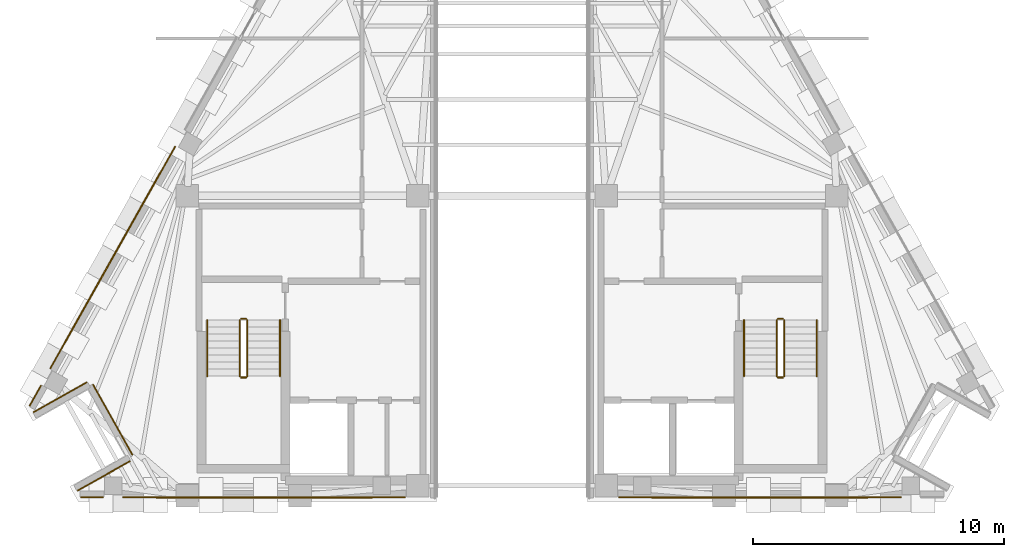
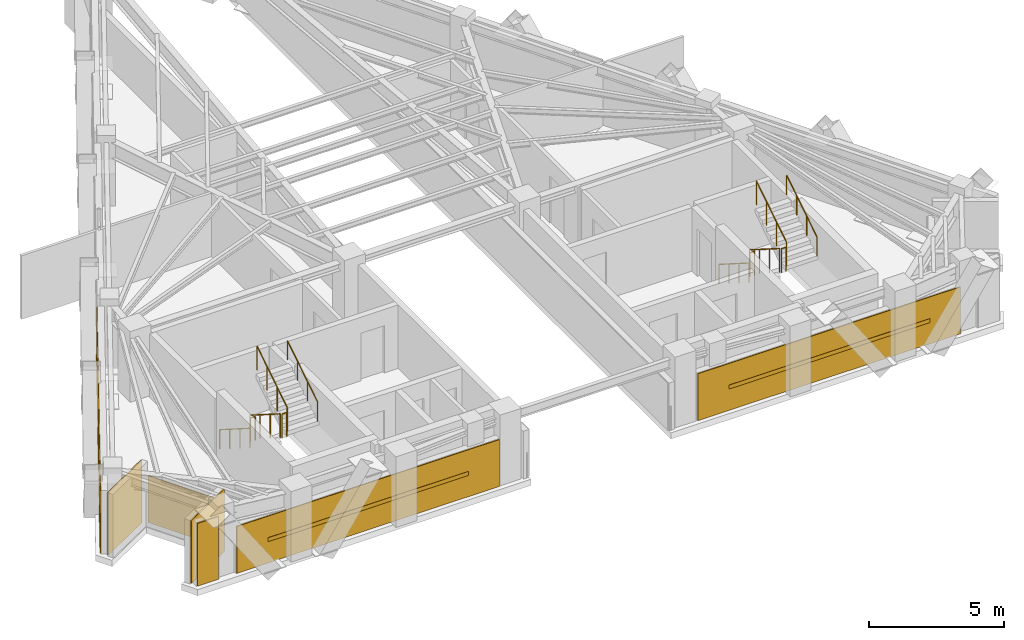
# One storey, part 5 of 6: 12 railings, 8 coverings, 3 shading devices.
"""IFC4 building model written with IfcOpenShell, lengths in metres."""

from ifc_helpers import new_model, si_unit, direction, frame, origin, origin_2d, place, context, subcontext, project, spatial, polyline, rectangle, circle, outline, extrude, material, layer, layer_set, material_profile, profile_set, type_object, element, save


model = new_model("IFC4")

# Units and contexts
model_context = context("Model", 3, precision=1e-05, world=origin(), true_north=direction((0.0, 1.0)))
body_context = subcontext(model_context, "Body", "Model", "MODEL_VIEW")
ifc_project = project(units=[si_unit("LENGTHUNIT", "METRE"), si_unit("AREAUNIT", "SQUARE_METRE"), si_unit("VOLUMEUNIT", "CUBIC_METRE"), si_unit("PLANEANGLEUNIT", "RADIAN"), si_unit("MASSUNIT", "GRAM", prefix="KILO")], contexts=[model_context])

# Site, building, storey
site_placement = place(None, origin())
site = spatial("IfcSite", under=ifc_project, at=site_placement, CompositionType="ELEMENT")
building_placement = place(site_placement, origin())
building = spatial("IfcBuilding", under=site, at=building_placement, Name="Quenlor Broadcast Tower", CompositionType="ELEMENT")
storey_placement = place(building_placement, frame((0.0, 0.0, 277.300048828125)))
storey = spatial("IfcBuildingStorey", under=building, at=storey_placement, Name="L77", CompositionType="ELEMENT", Elevation=277.300048828125)

# Coverings
ifc_material_1 = material(Name="Architectural Terracotta Ceramic", Category="masonry")
ifc_layer = layer(ifc_material_1, 0.044921875)
ifc_layer_set = layer_set([ifc_layer], Name="Fluted Terracotta Rainscreen Cladding Panel")
covering_type = type_object("IfcCoveringType", Name="Fluted Terracotta Rainscreen Cladding Panel", PredefinedType="CLADDING", material=ifc_layer_set)
covering_1_placement = place(storey_placement, frame((0.0, 0.0, 0.02001953125)))
element("IfcCovering", 1, at=covering_1_placement, inside=storey, type_object=covering_type, Name="L77 Terracotta Rainscreen Cladding L77-SHD-SS1", PredefinedType="CLADDING", context=body_context, shape_type="SweptSolid", body=[
    extrude(outline(polyline([(-16.28271484375, -16.787109375), (-17.18994140625, -16.787109375), (-17.18994140625, -16.83203125), (-16.28271484375, -16.83203125), (-16.28271484375, -16.787109375)])), origin(), (0.0, 0.0, 1.0), 2.83984375),
])
covering_2_placement = place(storey_placement, frame((0.0, 0.0, 0.02001953125)))
element("IfcCovering", 2, at=covering_2_placement, inside=storey, type_object=covering_type, Name="L77 Terracotta Rainscreen Cladding L77-EW-SA", PredefinedType="CLADDING", context=body_context, shape_type="SweptSolid", body=[
    extrude(outline(polyline([(15.5126953125, -16.797119140625), (4.25, -16.797119140625), (4.25, -16.842041015625), (15.5126953125, -16.842041015625), (15.5126953125, -16.797119140625)])), origin(), (0.0, 0.0, 1.0), 2.1240234375),
])
covering_3_placement = place(storey_placement, frame((0.0, 0.0, 0.02001953125)))
element("IfcCovering", 3, at=covering_3_placement, inside=storey, type_object=covering_type, Name="L77 Terracotta Rainscreen Cladding L77-EW-SC", PredefinedType="CLADDING", context=body_context, shape_type="SweptSolid", body=[
    extrude(outline(polyline([(-4.25, -16.797119140625), (-15.5126953125, -16.797119140625), (-15.5126953125, -16.842041015625), (-4.25, -16.842041015625), (-4.25, -16.797119140625)])), origin(), (0.0, 0.0, 1.0), 2.1240234375),
])
covering_4_placement = place(storey_placement, frame((0.0, 0.0, 0.02001953125)))
element("IfcCovering", 4, at=covering_4_placement, inside=storey, type_object=covering_type, Name="L77 Terracotta Rainscreen Cladding L77-SHD-NWS0", PredefinedType="CLADDING", context=body_context, shape_type="SweptSolid", body=[
    extrude(outline(polyline([(-19.210205078125, -13.185791015625), (-18.751708984375, -12.37109375), (-18.791015625, -12.34912109375), (-19.24951171875, -13.163818359375), (-19.210205078125, -13.185791015625)])), origin(), (0.0, 0.0, 1.0), 2.83984375),
])
covering_5_placement = place(storey_placement, frame((0.0, 0.0, 0.02001953125)))
element("IfcCovering", 5, at=covering_5_placement, inside=storey, type_object=covering_type, Name="L77 Terracotta Rainscreen Cladding L77-EW-NWA", PredefinedType="CLADDING", context=body_context, shape_type="SweptSolid", body=[
    extrude(outline(polyline([(-18.383056640625, -11.695068359375), (-13.40380859375, -2.843017578125), (-13.443115234375, -2.821044921875), (-18.42236328125, -11.673095703125), (-18.383056640625, -11.695068359375)])), origin(), (0.0, 0.0, 1.0), 2.83984375),
])
covering_6_placement = place(storey_placement, frame((0.0, 0.0, 0.02001953125)))
element("IfcCovering", 6, at=covering_6_placement, inside=storey, type_object=covering_type, Name="L77 Terracotta Rainscreen Cladding L77-CNR-13", PredefinedType="CLADDING", context=body_context, shape_type="SweptSolid", body=[
    extrude(outline(polyline([(-19.062255859375, -13.444091796875), (-16.935546875, -12.247802734375), (-16.95751953125, -12.208740234375), (-19.084228515625, -13.405029296875), (-19.062255859375, -13.444091796875)])), origin(), (0.0, 0.0, 1.0), 2.83984375),
])
covering_7_placement = place(storey_placement, frame((0.0, 0.0, 0.02001953125)))
element("IfcCovering", 7, at=covering_7_placement, inside=storey, type_object=covering_type, Name="L77 Terracotta Rainscreen Cladding L77-CNR-14", PredefinedType="CLADDING", context=body_context, shape_type="SweptSolid", body=[
    extrude(outline(polyline([(-16.72265625, -12.3369140625), (-15.14599609375, -15.139892578125), (-15.106689453125, -15.117919921875), (-16.683349609375, -12.31494140625), (-16.72265625, -12.3369140625)])), origin(), (0.0, 0.0, 1.0), 2.1240234375),
])
covering_8_placement = place(storey_placement, frame((0.0, 0.0, 0.02001953125)))
element("IfcCovering", 8, at=covering_8_placement, inside=storey, type_object=covering_type, Name="L77 Terracotta Rainscreen Cladding L77-CNR-15", PredefinedType="CLADDING", context=body_context, shape_type="SweptSolid", body=[
    extrude(outline(polyline([(-15.23486328125, -15.352783203125), (-17.32666015625, -16.529541015625), (-17.3046875, -16.568603515625), (-15.212890625, -15.39208984375), (-15.23486328125, -15.352783203125)])), origin(), (0.0, 0.0, 1.0), 2.83984375),
])

# Railings
ifc_material_2 = material(Name="Anodised Aluminium", Category="aluminium")
railing_type_1 = type_object("IfcRailingType", Name="Stainless Aluminium Wall Handrail 900", PredefinedType="HANDRAIL", material=ifc_material_2)
railing_1_placement = place(storey_placement, frame((-12.14990234375, -9.75, 0.177734375)))
element("IfcRailing", 9, at=railing_1_placement, inside=storey, type_object=railing_type_1, Name="L77 ST-1 stair handrail 1", PredefinedType="HANDRAIL", context=body_context, shape_type="SweptSolid", body=[
    extrude(circle(Radius=0.02392578125, at=origin_2d()), frame((0.0, 0.0, 0.8759765625), z_axis=(0.0, -0.8442293374, 0.53598211339), x_axis=(1.0, 0.0, 0.0)), (0.0, 0.0, 1.0), 2.6533203125),
    extrude(circle(Radius=0.02099609375, at=origin_2d()), origin(), (0.0, 0.0, 1.0), 0.851806640625),
    extrude(circle(Radius=0.02099609375, at=origin_2d()), frame((0.0, -0.74658203125, 0.47412109375)), (0.0, 0.0, 1.0), 0.851806640625),
    extrude(circle(Radius=0.02099609375, at=origin_2d()), frame((0.0, -1.493408203125, 0.947998046875)), (0.0, 0.0, 1.0), 0.851806640625),
    extrude(circle(Radius=0.02099609375, at=origin_2d()), frame((0.0, -2.239990234375, 1.422119140625)), (0.0, 0.0, 1.0), 0.851806640625),
])
railing_2_placement = place(storey_placement, frame((-9.25, -11.989990234375, 1.77783203125)))
element("IfcRailing", 10, at=railing_2_placement, inside=storey, type_object=railing_type_1, Name="L77 ST-1 stair handrail 2", PredefinedType="HANDRAIL", context=body_context, shape_type="SweptSolid", body=[
    extrude(circle(Radius=0.02392578125, at=origin_2d()), frame((0.0, 0.0, 0.8759765625), z_axis=(0.0, 0.8442293374, 0.53598211339), x_axis=(-1.0, 0.0, 0.0)), (0.0, 0.0, 1.0), 2.6533203125),
    extrude(circle(Radius=0.02099609375, at=origin_2d()), origin(), (0.0, 0.0, 1.0), 0.851806640625),
    extrude(circle(Radius=0.02099609375, at=origin_2d()), frame((0.0, 0.74658203125, 0.47412109375)), (0.0, 0.0, 1.0), 0.851806640625),
    extrude(circle(Radius=0.02099609375, at=origin_2d()), frame((0.0, 1.493408203125, 0.947998046875)), (0.0, 0.0, 1.0), 0.851806640625),
    extrude(circle(Radius=0.02099609375, at=origin_2d()), frame((0.0, 2.239990234375, 1.422119140625)), (0.0, 0.0, 1.0), 0.851806640625),
])
railing_3_placement = place(storey_placement, frame((9.25, -9.75, 0.177734375)))
element("IfcRailing", 11, at=railing_3_placement, inside=storey, type_object=railing_type_1, Name="L77 ST-2 stair handrail 1", PredefinedType="HANDRAIL", context=body_context, shape_type="SweptSolid", body=[
    extrude(circle(Radius=0.02392578125, at=origin_2d()), frame((0.0, 0.0, 0.8759765625), z_axis=(0.0, -0.8442293374, 0.53598211339), x_axis=(1.0, 0.0, 0.0)), (0.0, 0.0, 1.0), 2.6533203125),
    extrude(circle(Radius=0.02099609375, at=origin_2d()), origin(), (0.0, 0.0, 1.0), 0.851806640625),
    extrude(circle(Radius=0.02099609375, at=origin_2d()), frame((0.0, -0.74658203125, 0.47412109375)), (0.0, 0.0, 1.0), 0.851806640625),
    extrude(circle(Radius=0.02099609375, at=origin_2d()), frame((0.0, -1.493408203125, 0.947998046875)), (0.0, 0.0, 1.0), 0.851806640625),
    extrude(circle(Radius=0.02099609375, at=origin_2d()), frame((0.0, -2.239990234375, 1.422119140625)), (0.0, 0.0, 1.0), 0.851806640625),
])
railing_4_placement = place(storey_placement, frame((12.14990234375, -11.989990234375, 1.77783203125)))
element("IfcRailing", 12, at=railing_4_placement, inside=storey, type_object=railing_type_1, Name="L77 ST-2 stair handrail 2", PredefinedType="HANDRAIL", context=body_context, shape_type="SweptSolid", body=[
    extrude(circle(Radius=0.02392578125, at=origin_2d()), frame((0.0, 0.0, 0.8759765625), z_axis=(0.0, 0.8442293374, 0.53598211339), x_axis=(-1.0, 0.0, 0.0)), (0.0, 0.0, 1.0), 2.6533203125),
    extrude(circle(Radius=0.02099609375, at=origin_2d()), origin(), (0.0, 0.0, 1.0), 0.851806640625),
    extrude(circle(Radius=0.02099609375, at=origin_2d()), frame((0.0, 0.74658203125, 0.47412109375)), (0.0, 0.0, 1.0), 0.851806640625),
    extrude(circle(Radius=0.02099609375, at=origin_2d()), frame((0.0, 1.493408203125, 0.947998046875)), (0.0, 0.0, 1.0), 0.851806640625),
    extrude(circle(Radius=0.02099609375, at=origin_2d()), frame((0.0, 2.239990234375, 1.422119140625)), (0.0, 0.0, 1.0), 0.851806640625),
])

# Shading devices
ifc_material_3 = material(Name="Architectural Terracotta Ceramic", Category="masonry")
ifc_material_profile = material_profile(ifc_material_3, rectangle(XDim=0.06005859375, YDim=0.179931640625, at=origin_2d()))
ifc_profile_set = profile_set([ifc_material_profile], Name="Architectural Terracotta Ceramic LVR60x180")
shading_device_type = type_object("IfcShadingDeviceType", Name="Terracotta Acoustic Plant Weather Louvre 180", PredefinedType="JALOUSIE", material=ifc_profile_set)
for number, where, z_axis, x_axis, name in (
    (13, (14.183837890625, -16.822998046875, 1.08203125), (-1.0, 0.0, 0.0), (0.0, -1.0, 0.0), "L77 Plant Weather Louvre L77-LV-SA"),
    (14, (-5.57861328125, -16.822998046875, 1.08203125), (-1.0, 0.0, 0.0), (0.0, -1.0, 0.0), "L77 Plant Weather Louvre L77-LV-SC"),
):
    element("IfcShadingDevice", number, at=place(storey_placement, frame(where, z_axis=z_axis, x_axis=x_axis)), inside=storey, type_object=shading_device_type, Name=name, PredefinedType="JALOUSIE", context=body_context, shape_type="SweptSolid", body=[
        extrude(rectangle(XDim=0.06005859375, YDim=0.179931640625, at=origin_2d()), origin(), (0.0, 0.0, 1.0), 8.605224609375),
    ])
shading_device_placement = place(storey_placement, frame((-17.8193359375, -10.639892578125, 1.43994140625), z_axis=(0.490276168503, 0.871567139467, 0.0), x_axis=(-0.871567139467, 0.490276168503, 0.0)))
element("IfcShadingDevice", 15, at=shading_device_placement, inside=storey, type_object=shading_device_type, Name="L77 Plant Weather Louvre L77-LV-NWA", PredefinedType="JALOUSIE", context=body_context, shape_type="SweptSolid", body=[
    extrude(rectangle(XDim=0.06005859375, YDim=0.179931640625, at=origin_2d()), origin(), (0.0, 0.0, 1.0), 7.76416015625),
])

# Railings
ifc_material_4 = material(Name="Steel S355", Category="steel")
railing_type_2 = type_object("IfcRailingType", Name="Tubular Steel S355 Stair Guardrail 1100", PredefinedType="BALUSTRADE", material=ifc_material_4)
railing_5_placement = place(storey_placement, frame((-10.85009765625, -9.75, 0.177734375)))
element("IfcRailing", 16, at=railing_5_placement, inside=storey, type_object=railing_type_2, Name="L77 ST-1 stair guard 1", PredefinedType="BALUSTRADE", context=body_context, shape_type="SweptSolid", body=[
    extrude(circle(Radius=0.02392578125, at=origin_2d()), frame((0.0, 0.0, 1.076171875), z_axis=(0.0, -0.8442293374, 0.53598211339), x_axis=(1.0, 0.0, 0.0)), (0.0, 0.0, 1.0), 2.6533203125),
    extrude(circle(Radius=0.02099609375, at=origin_2d()), origin(), (0.0, 0.0, 1.0), 1.052001953125),
    extrude(circle(Radius=0.02099609375, at=origin_2d()), frame((0.0, -0.74658203125, 0.47412109375)), (0.0, 0.0, 1.0), 1.052001953125),
    extrude(circle(Radius=0.02099609375, at=origin_2d()), frame((0.0, -1.493408203125, 0.947998046875)), (0.0, 0.0, 1.0), 1.052001953125),
    extrude(circle(Radius=0.02099609375, at=origin_2d()), frame((0.0, -2.239990234375, 1.422119140625)), (0.0, 0.0, 1.0), 1.052001953125),
])
railing_6_placement = place(storey_placement, frame((-10.800048828125, -12.0400390625, 1.599853515625)))
element("IfcRailing", 17, at=railing_6_placement, inside=storey, type_object=railing_type_2, Name="L77 ST-1 stair guard 2", PredefinedType="BALUSTRADE", context=body_context, shape_type="SweptSolid", body=[
    extrude(circle(Radius=0.02392578125, at=origin_2d()), frame((0.0, 0.0, 1.076171875), z_axis=(1.0, 0.0, 0.0), x_axis=(0.0, 1.0, 0.0)), (0.0, 0.0, 1.0), 0.199951171875),
    extrude(circle(Radius=0.02099609375, at=origin_2d()), origin(), (0.0, 0.0, 1.0), 1.052001953125),
    extrude(circle(Radius=0.02099609375, at=origin_2d()), frame((0.199951171875, 0.0, 0.0)), (0.0, 0.0, 1.0), 1.052001953125),
])
railing_7_placement = place(storey_placement, frame((-10.550048828125, -11.989990234375, 1.77783203125)))
element("IfcRailing", 18, at=railing_7_placement, inside=storey, type_object=railing_type_2, Name="L77 ST-1 stair guard 3", PredefinedType="BALUSTRADE", context=body_context, shape_type="SweptSolid", body=[
    extrude(circle(Radius=0.02392578125, at=origin_2d()), frame((0.0, 0.0, 1.076171875), z_axis=(0.0, 0.8442293374, 0.53598211339), x_axis=(-1.0, 0.0, 0.0)), (0.0, 0.0, 1.0), 2.6533203125),
    extrude(circle(Radius=0.02099609375, at=origin_2d()), origin(), (0.0, 0.0, 1.0), 1.052001953125),
    extrude(circle(Radius=0.02099609375, at=origin_2d()), frame((0.0, 0.74658203125, 0.47412109375)), (0.0, 0.0, 1.0), 1.052001953125),
    extrude(circle(Radius=0.02099609375, at=origin_2d()), frame((0.0, 1.493408203125, 0.947998046875)), (0.0, 0.0, 1.0), 1.052001953125),
    extrude(circle(Radius=0.02099609375, at=origin_2d()), frame((0.0, 2.239990234375, 1.422119140625)), (0.0, 0.0, 1.0), 1.052001953125),
])
railing_8_placement = place(storey_placement, frame((-10.800048828125, -9.699951171875, 0.0)))
element("IfcRailing", 19, at=railing_8_placement, inside=storey, type_object=railing_type_2, Name="L77 ST-1 stair guard 4", PredefinedType="BALUSTRADE", context=body_context, shape_type="SweptSolid", body=[
    extrude(circle(Radius=0.02392578125, at=origin_2d()), frame((0.0, 0.0, 1.076171875), z_axis=(1.0, 0.0, 0.0), x_axis=(0.0, 1.0, 0.0)), (0.0, 0.0, 1.0), 0.199951171875),
    extrude(circle(Radius=0.02099609375, at=origin_2d()), origin(), (0.0, 0.0, 1.0), 1.052001953125),
    extrude(circle(Radius=0.02099609375, at=origin_2d()), frame((0.199951171875, 0.0, 0.0)), (0.0, 0.0, 1.0), 1.052001953125),
])
railing_9_placement = place(storey_placement, frame((10.550048828125, -9.75, 0.177734375)))
element("IfcRailing", 20, at=railing_9_placement, inside=storey, type_object=railing_type_2, Name="L77 ST-2 stair guard 1", PredefinedType="BALUSTRADE", context=body_context, shape_type="SweptSolid", body=[
    extrude(circle(Radius=0.02392578125, at=origin_2d()), frame((0.0, 0.0, 1.076171875), z_axis=(0.0, -0.8442293374, 0.53598211339), x_axis=(1.0, 0.0, 0.0)), (0.0, 0.0, 1.0), 2.6533203125),
    extrude(circle(Radius=0.02099609375, at=origin_2d()), origin(), (0.0, 0.0, 1.0), 1.052001953125),
    extrude(circle(Radius=0.02099609375, at=origin_2d()), frame((0.0, -0.74658203125, 0.47412109375)), (0.0, 0.0, 1.0), 1.052001953125),
    extrude(circle(Radius=0.02099609375, at=origin_2d()), frame((0.0, -1.493408203125, 0.947998046875)), (0.0, 0.0, 1.0), 1.052001953125),
    extrude(circle(Radius=0.02099609375, at=origin_2d()), frame((0.0, -2.239990234375, 1.422119140625)), (0.0, 0.0, 1.0), 1.052001953125),
])
railing_10_placement = place(storey_placement, frame((10.60009765625, -12.0400390625, 1.599853515625)))
element("IfcRailing", 21, at=railing_10_placement, inside=storey, type_object=railing_type_2, Name="L77 ST-2 stair guard 2", PredefinedType="BALUSTRADE", context=body_context, shape_type="SweptSolid", body=[
    extrude(circle(Radius=0.02392578125, at=origin_2d()), frame((0.0, 0.0, 1.076171875), z_axis=(1.0, 0.0, 0.0), x_axis=(0.0, 1.0, 0.0)), (0.0, 0.0, 1.0), 0.199951171875),
    extrude(circle(Radius=0.02099609375, at=origin_2d()), origin(), (0.0, 0.0, 1.0), 1.052001953125),
    extrude(circle(Radius=0.02099609375, at=origin_2d()), frame((0.199951171875, 0.0, 0.0)), (0.0, 0.0, 1.0), 1.052001953125),
])
railing_11_placement = place(storey_placement, frame((10.85009765625, -11.989990234375, 1.77783203125)))
element("IfcRailing", 22, at=railing_11_placement, inside=storey, type_object=railing_type_2, Name="L77 ST-2 stair guard 3", PredefinedType="BALUSTRADE", context=body_context, shape_type="SweptSolid", body=[
    extrude(circle(Radius=0.02392578125, at=origin_2d()), frame((0.0, 0.0, 1.076171875), z_axis=(0.0, 0.8442293374, 0.53598211339), x_axis=(-1.0, 0.0, 0.0)), (0.0, 0.0, 1.0), 2.6533203125),
    extrude(circle(Radius=0.02099609375, at=origin_2d()), origin(), (0.0, 0.0, 1.0), 1.052001953125),
    extrude(circle(Radius=0.02099609375, at=origin_2d()), frame((0.0, 0.74658203125, 0.47412109375)), (0.0, 0.0, 1.0), 1.052001953125),
    extrude(circle(Radius=0.02099609375, at=origin_2d()), frame((0.0, 1.493408203125, 0.947998046875)), (0.0, 0.0, 1.0), 1.052001953125),
    extrude(circle(Radius=0.02099609375, at=origin_2d()), frame((0.0, 2.239990234375, 1.422119140625)), (0.0, 0.0, 1.0), 1.052001953125),
])
railing_12_placement = place(storey_placement, frame((10.60009765625, -9.699951171875, 0.0)))
element("IfcRailing", 23, at=railing_12_placement, inside=storey, type_object=railing_type_2, Name="L77 ST-2 stair guard 4", PredefinedType="BALUSTRADE", context=body_context, shape_type="SweptSolid", body=[
    extrude(circle(Radius=0.02392578125, at=origin_2d()), frame((0.0, 0.0, 1.076171875), z_axis=(1.0, 0.0, 0.0), x_axis=(0.0, 1.0, 0.0)), (0.0, 0.0, 1.0), 0.199951171875),
    extrude(circle(Radius=0.02099609375, at=origin_2d()), origin(), (0.0, 0.0, 1.0), 1.052001953125),
    extrude(circle(Radius=0.02099609375, at=origin_2d()), frame((0.199951171875, 0.0, 0.0)), (0.0, 0.0, 1.0), 1.052001953125),
])

save(model, "model.ifc")
